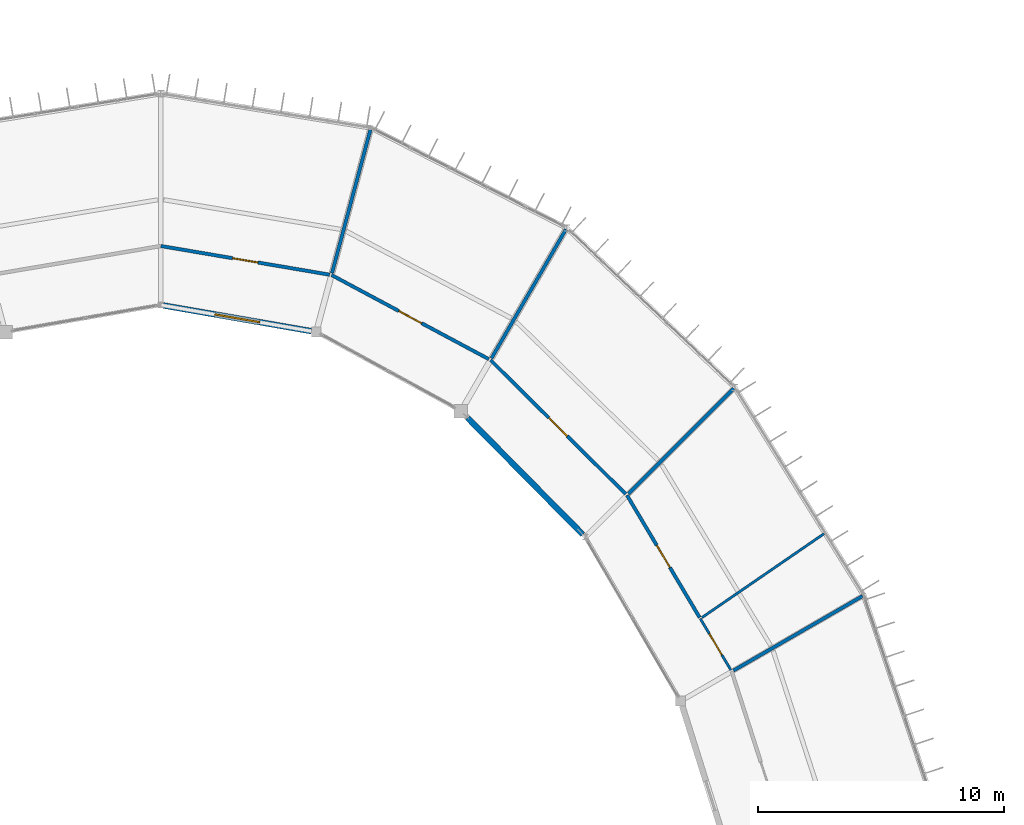
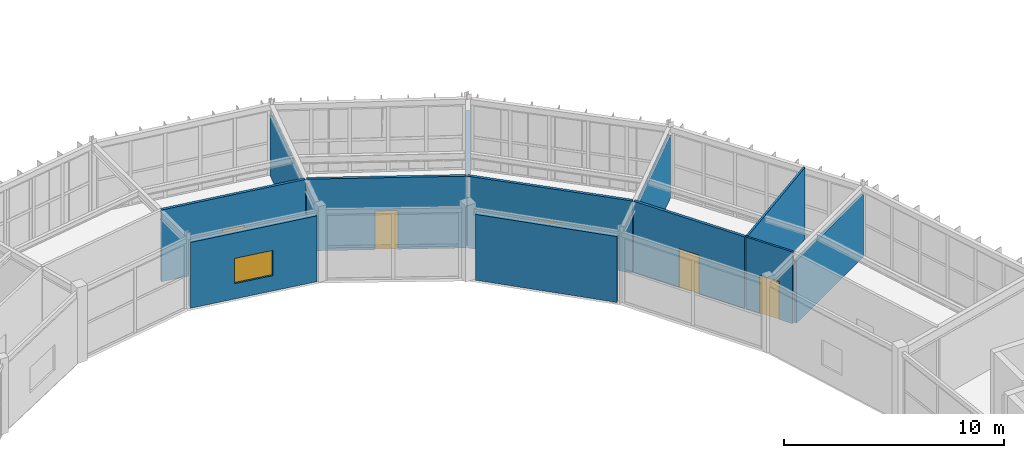
# One storey, part 143 of 157: 12 walls, 5 doors, 1 window, 6 openings.
"""IFC4 building model written with IfcOpenShell, lengths in metres."""

import ifcopenshell
import ifcopenshell.guid

model = None  # the IFC model being written
_history = None  # IfcOwnerHistory: only IFC2X3 demands one
_inside = {}  # id of a spatial element -> (the spatial element, [elements in it])
_under = {}  # id of a project, library or spatial element -> (it, [spatial elements below it])
_declared = {}  # id of a project -> (the project, [libraries it declares])
_typed = {}  # id of a type object -> (the type object, [elements of that type])
_made_of = {}  # id of a material, layer set ... -> (it, [elements and type objects made of it])


def new_model(schema):
    """Start an empty IFC model of exactly this schema.

    Asked for "IFC4X3", IfcOpenShell would pick the latest addendum, in which some entities
    have other attributes; the version numbers below select the first issue.
    IFC2X3 requires an IfcOwnerHistory on every rooted entity: one is made here for all.
    """
    global model, _history
    if schema == "IFC4X3":
        model = ifcopenshell.file(schema_version=(4, 3, 0, 0))
    else:
        model = ifcopenshell.file(schema=schema)
    _inside.clear()
    _under.clear()
    _declared.clear()
    _typed.clear()
    _made_of.clear()
    _history = None
    if model.schema == "IFC2X3":
        org = make("IfcOrganization", Name="unknown")
        user = make(
            "IfcPersonAndOrganization",
            ThePerson=make("IfcPerson", FamilyName="unknown"),
            TheOrganization=org,
        )
        app = make(
            "IfcApplication",
            ApplicationDeveloper=org,
            Version="unknown",
            ApplicationFullName="unknown",
            ApplicationIdentifier="unknown",
        )
        _history = make(
            "IfcOwnerHistory",
            OwningUser=user,
            OwningApplication=app,
            ChangeAction="ADDED",
            CreationDate=0,
        )
    return model


def make(cls, **values):
    """One entity of the class cls with the attributes given. An attribute that is None is left unset."""
    return model.create_entity(
        cls, **{name: value for name, value in values.items() if value is not None}
    )


def rooted(cls, **values):
    """An entity with a GlobalId (a new one), such as an element, a storey or a relation."""
    return make(cls, GlobalId=ifcopenshell.guid.new(), OwnerHistory=_history, **values)


def si_unit(unit_type, name, prefix=None):
    """IfcSIUnit, for example si_unit("LENGTHUNIT", "METRE", prefix="MILLI")."""
    return make("IfcSIUnit", UnitType=unit_type, Prefix=prefix, Name=name)


def assignment(units):
    """IfcUnitAssignment: the units of a project."""
    return None if units is None else make("IfcUnitAssignment", Units=units)


def point(xyz):
    """IfcCartesianPoint."""
    return None if xyz is None else make("IfcCartesianPoint", Coordinates=xyz)


def direction(xyz):
    """IfcDirection."""
    return None if xyz is None else make("IfcDirection", DirectionRatios=xyz)


def frame(location, z_axis=None, x_axis=None):
    """IfcAxis2Placement3D, a coordinate frame: its origin and axes. An axis left out is left unset."""
    return make(
        "IfcAxis2Placement3D",
        Location=point(location),
        Axis=direction(z_axis),
        RefDirection=direction(x_axis),
    )


def frame_2d(location, x_axis=None):
    """IfcAxis2Placement2D, a coordinate frame in the plane: its origin and x axis."""
    return make(
        "IfcAxis2Placement2D", Location=point(location), RefDirection=direction(x_axis)
    )


def origin():
    """The frame at (0, 0, 0) with its axes left unset."""
    return frame((0.0, 0.0, 0.0))


def place(relative_to, where):
    """IfcLocalPlacement: puts the frame where relative to a parent placement (None: the world)."""
    return make(
        "IfcLocalPlacement", PlacementRelTo=relative_to, RelativePlacement=where
    )


def context(
    kind, dimensions, precision=None, world=None, true_north=None, identifier=None
):
    """IfcGeometricRepresentationContext, for example the 3D "Model" context."""
    return make(
        "IfcGeometricRepresentationContext",
        ContextIdentifier=identifier,
        ContextType=kind,
        CoordinateSpaceDimension=dimensions,
        Precision=precision,
        WorldCoordinateSystem=world,
        TrueNorth=true_north,
    )


def subcontext(parent, identifier, kind, view, scale=None):
    """IfcGeometricRepresentationSubContext, for example "Body" below "Model"."""
    return make(
        "IfcGeometricRepresentationSubContext",
        ContextIdentifier=identifier,
        ContextType=kind,
        ParentContext=parent,
        TargetScale=scale,
        TargetView=view,
    )


def project(units=None, contexts=None):
    """IfcProject with its units and contexts."""
    return rooted(
        "IfcProject",
        Name="project",
        RepresentationContexts=contexts,
        UnitsInContext=assignment(units),
    )


def spatial(cls, under=None, at=None, **own):
    """A site, building, storey or space (cls), placed at a placement, below another one or the project."""
    s = rooted(cls, ObjectPlacement=at, **own)
    if under is not None:
        _under.setdefault(under.id(), (under, []))[1].append(s)
    return s


def profile(cls, at=None, kind="AREA", **sizes):
    """A parametric profile (cls). Its sizes go by their IFC names, for example OverallWidth=200.0."""
    return make(cls, ProfileType=kind, Position=at, **sizes)


def rectangle(**sizes):
    """IfcRectangleProfileDef."""
    return profile("IfcRectangleProfileDef", **sizes)


def extrude(swept, where, along, depth):
    """IfcExtrudedAreaSolid: the profile swept, set in the frame where, extruded along a direction by depth."""
    return make(
        "IfcExtrudedAreaSolid",
        SweptArea=swept,
        Position=where,
        ExtrudedDirection=direction(along),
        Depth=depth,
    )


def shape(context_of_items, identifier, shape_type, items):
    """IfcShapeRepresentation: the items that make up one representation, for example the "Body"."""
    return make(
        "IfcShapeRepresentation",
        ContextOfItems=context_of_items,
        RepresentationIdentifier=identifier,
        RepresentationType=shape_type,
        Items=items,
    )


def material(Name=None, Category=None):
    """IfcMaterial."""
    return make("IfcMaterial", Name=Name, Category=Category)


def layer(
    of_material, thickness, ventilated=None, Name=None, Category=None, Priority=None
):
    """IfcMaterialLayer: one layer of a wall or slab, of a material (None: an air gap)."""
    return make(
        "IfcMaterialLayer",
        Material=of_material,
        LayerThickness=thickness,
        IsVentilated=ventilated,
        Name=Name,
        Category=Category,
        Priority=Priority,
    )


def layer_set(layers, Name=None):
    """IfcMaterialLayerSet."""
    return make("IfcMaterialLayerSet", MaterialLayers=layers, LayerSetName=Name)


def made_of(thing, what):
    """Note that an element or type object is made of a material, layer set ...; save() writes the relation."""
    if what is not None:
        _made_of.setdefault(what.id(), (what, []))[1].append(thing)
    return thing


def type_object(cls, material=None, **own):
    """A type object (cls), such as IfcWallType, which elements share."""
    return made_of(rooted(cls, **own), material)


def element(
    cls,
    number,
    at=None,
    inside=None,
    cuts=None,
    type_object=None,
    material=None,
    context=None,
    identifier="Body",
    shape_type=None,
    held_by="IfcProductDefinitionShape",
    body=None,
    shapes=None,
    **own,
):
    """One element of the class cls, such as IfcWall. Its Tag is "e" and its number.

    at: its placement. inside: the storey or other place that contains it. cuts: it is an
    opening in that element (IfcRelVoidsElement). A single representation is given by context,
    identifier, shape_type and body (its items); several are given by shapes. held_by: the class
    of the entity that holds the representations. save() writes the other relations.
    """
    e = rooted(cls, Tag="e%d" % number, ObjectPlacement=at, **own)
    if body is not None:
        shapes = [shape(context, identifier, shape_type, body)]
    if shapes is not None:
        e.Representation = make(held_by, Representations=shapes)
    if inside is not None:
        _inside.setdefault(inside.id(), (inside, []))[1].append(e)
    if cuts is not None:
        rooted(
            "IfcRelVoidsElement", RelatingBuildingElement=cuts, RelatedOpeningElement=e
        )
    if type_object is not None:
        _typed.setdefault(type_object.id(), (type_object, []))[1].append(e)
    return made_of(e, material)


def fill(opening, filler):
    """IfcRelFillsElement: the door or window that sits in an opening."""
    return rooted(
        "IfcRelFillsElement",
        RelatingOpeningElement=opening,
        RelatedBuildingElement=filler,
    )


def aggregate(whole, parts):
    """IfcRelAggregates: a whole, such as a stair, and the parts it consists of."""
    return rooted("IfcRelAggregates", RelatingObject=whole, RelatedObjects=parts)


def save(model, path):
    """Write the relations noted so far, then the file.

    IfcRelAggregates (storeys below a building ...), IfcRelContainedInSpatialStructure (elements
    in a storey), IfcRelDefinesByType, IfcRelAssociatesMaterial and IfcRelDeclares: one each for
    every whole, place, type object, material and project.
    """
    for whole, parts in _under.values():
        aggregate(whole, parts)
    for where, things in _inside.values():
        rooted(
            "IfcRelContainedInSpatialStructure",
            RelatedElements=things,
            RelatingStructure=where,
        )
    for kind, things in _typed.values():
        rooted("IfcRelDefinesByType", RelatedObjects=things, RelatingType=kind)
    for what, things in _made_of.values():
        rooted("IfcRelAssociatesMaterial", RelatedObjects=things, RelatingMaterial=what)
    for by, libraries in _declared.values():
        rooted("IfcRelDeclares", RelatingContext=by, RelatedDefinitions=libraries)
    model.write(path)


model = new_model("IFC4")

# Units and contexts
model_context = context("Model", 3, precision=1e-05, world=origin(), true_north=direction((0.0, 1.0)))
body_context = subcontext(model_context, "Body", "Model", "MODEL_VIEW")
ifc_project = project(units=[si_unit("LENGTHUNIT", "METRE"), si_unit("AREAUNIT", "SQUARE_METRE"), si_unit("VOLUMEUNIT", "CUBIC_METRE"), si_unit("PLANEANGLEUNIT", "RADIAN"), si_unit("MASSUNIT", "GRAM", prefix="KILO")], contexts=[model_context])

# Site, building, storey
site_placement = place(None, origin())
site = spatial("IfcSite", under=ifc_project, at=site_placement, CompositionType="ELEMENT")
building_placement = place(site_placement, origin())
building = spatial("IfcBuilding", under=site, at=building_placement, Name="Karori Crest Natural Sciences Institute", CompositionType="ELEMENT")
storey_placement = place(building_placement, frame((0.0, 0.0, 13.300048828125)))
storey = spatial("IfcBuildingStorey", under=building, at=storey_placement, Name="L03", CompositionType="ELEMENT", Elevation=13.300048828125)

# Wall
ifc_material_1 = material(Name="Laboratory acoustic drywall partition")
ifc_layer_1 = layer(ifc_material_1, 0.139892578125, Name="Laboratory acoustic drywall partition")
ifc_layer_set_1 = layer_set([ifc_layer_1], Name="Laboratory acoustic drywall partition")
wall_type_1 = type_object("IfcWallType", Name="IWT-07", PredefinedType="PARTITIONING", material=ifc_layer_set_1)
wall_1_placement = place(storey_placement, frame((89.6787109375, 67.239990234375, 0.0), z_axis=(0.0, 0.0, 1.0), x_axis=(0.866020543329, 0.500008418462, 0.0)))
element("IfcWall", 1, at=wall_1_placement, inside=storey, type_object=wall_type_1, Name="Partition wall IW-1290", PredefinedType="PARTITIONING", context=body_context, shape_type="SweptSolid", body=[
    extrude(rectangle(XDim=6.06005859375, YDim=0.139892578125, at=frame_2d((3.030029296875, 0.0))), origin(), (0.0, 0.0, 1.0), 3.470947265625),
])

# Wall, opening, door
wall_2_placement = place(storey_placement, frame((88.30517578125, 69.39453125, 0.0), z_axis=(0.0, 0.0, 1.0), x_axis=(-0.510896676259, 0.859642126811, 0.0)))
wall_2 = element("IfcWall", 2, at=wall_2_placement, inside=storey, type_object=wall_type_1, Name="Partition wall IW-1293", PredefinedType="PARTITIONING", context=body_context, shape_type="SweptSolid", body=[
    extrude(rectangle(XDim=5.783203125, YDim=0.139892578125, at=frame_2d((2.8916015625, 0.0))), origin(), (0.0, 0.0, 1.0), 3.97998046875),
])
opening_1_placement = place(wall_2_placement, frame((2.366455078125, 0.0, 0.0)))
opening_1 = element("IfcOpeningElement", 3, at=opening_1_placement, cuts=wall_2, Name="Opening ID-0401", PredefinedType="OPENING", context=body_context, shape_type="SweptSolid", body=[
    extrude(rectangle(XDim=1.050048828125, YDim=2.14990234375, at=frame_2d((0.52490234375, 1.074951171875))), frame((0.0, 0.080078125, 0.0), z_axis=(0.0, -1.0, 0.0), x_axis=(1.0, 0.0, 0.0)), (0.0, 0.0, 1.0), 0.159912109375),
])
ifc_material_2 = material(Name="Stainless steel 316 and fire-rated timber", Category="steel")
door_type_1 = type_object("IfcDoorType", Name="IDT-03", OperationType="NOTDEFINED", PredefinedType="DOOR", material=ifc_material_2)
door_1_placement = place(opening_1_placement, origin())
door_1 = element("IfcDoor", 4, at=door_1_placement, inside=storey, type_object=door_type_1, Name="Janitor and Consumables Store door ID-0401", OperationType="SINGLE_SWING_RIGHT", OverallHeight=2.14990234375, OverallWidth=1.050048828125, PredefinedType="DOOR", context=body_context, shape_type="SweptSolid", body=[
    extrude(rectangle(XDim=1.050048828125, YDim=2.14990234375, at=frame_2d((0.52490234375, 1.074951171875))), frame((0.0, 0.02490234375, 0.0), z_axis=(0.0, -1.0, 0.0), x_axis=(1.0, 0.0, 0.0)), (0.0, 0.0, 1.0), 0.050048828125),
])
fill(opening_1, door_1)

# Wall
wall_3_placement = place(storey_placement, frame((85.406982421875, 74.422607421875, 0.0), z_axis=(0.0, 0.0, 1.0), x_axis=(0.70712692467, 0.707086637129, 0.0)))
element("IfcWall", 5, at=wall_3_placement, inside=storey, type_object=wall_type_1, Name="Partition wall IW-1294", PredefinedType="PARTITIONING", context=body_context, shape_type="SweptSolid", body=[
    extrude(rectangle(XDim=6.06005859375, YDim=0.139892578125, at=frame_2d((3.030029296875, 0.0))), origin(), (0.0, 0.0, 1.0), 3.46484375),
])

# Wall, opening, door
wall_4_placement = place(storey_placement, frame((85.29931640625, 74.41650390625, 0.0), z_axis=(0.0, 0.0, 1.0), x_axis=(-0.710410596589, 0.703787456732, 0.0)))
wall_4 = element("IfcWall", 6, at=wall_4_placement, inside=storey, type_object=wall_type_1, Name="Partition wall IW-1295", PredefinedType="PARTITIONING", context=body_context, shape_type="SweptSolid", body=[
    extrude(rectangle(XDim=7.740966796875, YDim=0.139892578125, at=frame_2d((3.87060546875, 0.0))), origin(), (0.0, 0.0, 1.0), 3.97998046875),
])
opening_2_placement = place(wall_4_placement, frame((3.345458984375, 0.0, 0.0)))
opening_2 = element("IfcOpeningElement", 7, at=opening_2_placement, cuts=wall_4, Name="Opening ID-0402", PredefinedType="OPENING", context=body_context, shape_type="SweptSolid", body=[
    extrude(rectangle(XDim=1.050048828125, YDim=2.14990234375, at=frame_2d((0.52490234375, 1.074951171875))), frame((0.0, 0.080078125, 0.0), z_axis=(0.0, -1.0, 0.0), x_axis=(1.0, 0.0, 0.0)), (0.0, 0.0, 1.0), 0.159912109375),
])
door_2_placement = place(opening_2_placement, origin())
door_2 = element("IfcDoor", 8, at=door_2_placement, inside=storey, type_object=door_type_1, Name="Molecular Ecology Wet Laboratory door ID-0402", OperationType="SINGLE_SWING_LEFT", OverallHeight=2.14990234375, OverallWidth=1.050048828125, PredefinedType="DOOR", context=body_context, shape_type="SweptSolid", body=[
    extrude(rectangle(XDim=1.050048828125, YDim=2.14990234375, at=frame_2d((0.52490234375, 1.074951171875))), frame((0.0, 0.02490234375, 0.0), z_axis=(0.0, -1.0, 0.0), x_axis=(1.0, 0.0, 0.0)), (0.0, 0.0, 1.0), 0.050048828125),
])
fill(opening_2, door_2)

# Wall
wall_5_placement = place(storey_placement, frame((79.840087890625, 79.933837890625, 0.0), z_axis=(0.0, 0.0, 1.0), x_axis=(0.500008418462, 0.866020543329, 0.0)))
element("IfcWall", 9, at=wall_5_placement, inside=storey, type_object=wall_type_1, Name="Partition wall IW-1296", PredefinedType="PARTITIONING", context=body_context, shape_type="SweptSolid", body=[
    extrude(rectangle(XDim=6.06005859375, YDim=0.139892578125, at=frame_2d((3.030029296875, 0.0))), origin(), (0.0, 0.0, 1.0), 3.31298828125),
])

# Wall, opening, door
wall_6_placement = place(storey_placement, frame((79.736572265625, 79.8984375, 0.0), z_axis=(0.0, 0.0, 1.0), x_axis=(-0.881826283139, 0.471574391125, 0.0)))
wall_6 = element("IfcWall", 10, at=wall_6_placement, inside=storey, type_object=wall_type_1, Name="Partition wall IW-1297", PredefinedType="PARTITIONING", context=body_context, shape_type="SweptSolid", body=[
    extrude(rectangle(XDim=7.2578125, YDim=0.139892578125, at=frame_2d((3.62890625, 0.0))), origin(), (0.0, 0.0, 1.0), 3.97998046875),
])
opening_3_placement = place(wall_6_placement, frame((3.10400390625, 0.0, 0.0)))
opening_3 = element("IfcOpeningElement", 11, at=opening_3_placement, cuts=wall_6, Name="Opening ID-0403", PredefinedType="OPENING", context=body_context, shape_type="SweptSolid", body=[
    extrude(rectangle(XDim=1.050048828125, YDim=2.14990234375, at=frame_2d((0.52490234375, 1.074951171875))), frame((0.0, 0.080078125, 0.0), z_axis=(0.0, -1.0, 0.0), x_axis=(1.0, 0.0, 0.0)), (0.0, 0.0, 1.0), 0.159912109375),
])
door_3_placement = place(opening_3_placement, origin())
door_3 = element("IfcDoor", 12, at=door_3_placement, inside=storey, type_object=door_type_1, Name="Wet Biology Laboratory door ID-0403", OperationType="SINGLE_SWING_RIGHT", OverallHeight=2.14990234375, OverallWidth=1.050048828125, PredefinedType="DOOR", context=body_context, shape_type="SweptSolid", body=[
    extrude(rectangle(XDim=1.050048828125, YDim=2.14990234375, at=frame_2d((0.52490234375, 1.074951171875))), frame((0.0, 0.02490234375, 0.0), z_axis=(0.0, -1.0, 0.0), x_axis=(1.0, 0.0, 0.0)), (0.0, 0.0, 1.0), 0.050048828125),
])
fill(opening_3, door_3)

# Wall
wall_7_placement = place(storey_placement, frame((73.357177734375, 83.398193359375, 0.0), z_axis=(0.0, 0.0, 1.0), x_axis=(0.258805895167, 0.965929349708, 0.0)))
element("IfcWall", 13, at=wall_7_placement, inside=storey, type_object=wall_type_1, Name="Partition wall IW-1298", PredefinedType="PARTITIONING", context=body_context, shape_type="SweptSolid", body=[
    extrude(rectangle(XDim=6.06005859375, YDim=0.139892578125, at=frame_2d((3.030029296875, 0.0))), origin(), (0.0, 0.0, 1.0), 3.322998046875),
])

# Wall, opening, door
wall_8_placement = place(storey_placement, frame((73.26513671875, 83.3330078125, 0.0), z_axis=(0.0, 0.0, 1.0), x_axis=(-0.985858163623, 0.167581864229, 0.0)))
wall_8 = element("IfcWall", 14, at=wall_8_placement, inside=storey, type_object=wall_type_1, Name="Partition wall IW-1299", PredefinedType="PARTITIONING", context=body_context, shape_type="SweptSolid", body=[
    extrude(rectangle(XDim=6.963623046875, YDim=0.139892578125, at=frame_2d((3.48193359375, 0.0))), origin(), (0.0, 0.0, 1.0), 3.97998046875),
])
opening_4_placement = place(wall_8_placement, frame((2.956787109375, 0.0, 0.0)))
opening_4 = element("IfcOpeningElement", 15, at=opening_4_placement, cuts=wall_8, Name="Opening ID-0404", PredefinedType="OPENING", context=body_context, shape_type="SweptSolid", body=[
    extrude(rectangle(XDim=1.050048828125, YDim=2.14990234375, at=frame_2d((0.52490234375, 1.074951171875))), frame((0.0, 0.080078125, 0.0), z_axis=(0.0, -1.0, 0.0), x_axis=(1.0, 0.0, 0.0)), (0.0, 0.0, 1.0), 0.159912109375),
])
door_4_placement = place(opening_4_placement, origin())
door_4 = element("IfcDoor", 16, at=door_4_placement, inside=storey, type_object=door_type_1, Name="Analytical Geochemistry Laboratory door ID-0404", OperationType="SINGLE_SWING_LEFT", OverallHeight=2.14990234375, OverallWidth=1.050048828125, PredefinedType="DOOR", context=body_context, shape_type="SweptSolid", body=[
    extrude(rectangle(XDim=1.050048828125, YDim=2.14990234375, at=frame_2d((0.52490234375, 1.074951171875))), frame((0.0, 0.02490234375, 0.0), z_axis=(0.0, -1.0, 0.0), x_axis=(1.0, 0.0, 0.0)), (0.0, 0.0, 1.0), 0.050048828125),
])
fill(opening_4, door_4)

ifc_material_3 = material(Name="Washroom moisture-resistant partition")
ifc_layer_2 = layer(ifc_material_3, 0.10009765625, Name="Washroom moisture-resistant partition")
ifc_layer_set_2 = layer_set([ifc_layer_2], Name="Washroom moisture-resistant partition")
wall_type_2 = type_object("IfcWallType", Name="IWT-09", PredefinedType="PARTITIONING", material=ifc_layer_set_2)
wall_9_placement = place(storey_placement, frame((89.57275390625, 67.261962890625, 0.0), z_axis=(0.0, 0.0, 1.0), x_axis=(-0.510928867953, 0.859622994046, 0.0)))
wall_9 = element("IfcWall", 17, at=wall_9_placement, inside=storey, type_object=wall_type_2, Name="Partition wall IW-1291", PredefinedType="PARTITIONING", context=body_context, shape_type="SweptSolid", body=[
    extrude(rectangle(XDim=2.428955078125, YDim=0.10009765625, at=frame_2d((1.21435546875, 0.0))), origin(), (0.0, 0.0, 1.0), 3.97998046875),
])
opening_5_placement = place(wall_9_placement, frame((0.71435546875, 0.0, 0.0)))
opening_5 = element("IfcOpeningElement", 18, at=opening_5_placement, cuts=wall_9, Name="Opening ID-0400", PredefinedType="OPENING", context=body_context, shape_type="SweptSolid", body=[
    extrude(rectangle(XDim=1.0, YDim=2.10009765625, at=frame_2d((0.5, 1.050048828125))), frame((0.0, 0.06005859375, 0.0), z_axis=(0.0, -1.0, 0.0), x_axis=(1.0, 0.0, 0.0)), (0.0, 0.0, 1.0), 0.1201171875),
])
ifc_material_4 = material(Name="Anodised aluminium and acoustic timber", Category="wood")
door_type_2 = type_object("IfcDoorType", Name="IDT-09", OperationType="NOTDEFINED", PredefinedType="DOOR", material=ifc_material_4)
door_5_placement = place(opening_5_placement, origin())
door_5 = element("IfcDoor", 19, at=door_5_placement, inside=storey, type_object=door_type_2, Name="Accessible WC door ID-0400", OperationType="SINGLE_SWING_LEFT", OverallHeight=2.10009765625, OverallWidth=1.0, PredefinedType="DOOR", context=body_context, shape_type="SweptSolid", body=[
    extrude(rectangle(XDim=1.0, YDim=2.10009765625, at=frame_2d((0.5, 1.050048828125))), frame((0.0, 0.02490234375, 0.0), z_axis=(0.0, -1.0, 0.0), x_axis=(1.0, 0.0, 0.0)), (0.0, 0.0, 1.0), 0.050048828125),
])
fill(opening_5, door_5)

# Walls
wall_10_placement = place(storey_placement, frame((88.397705078125, 69.39501953125, 0.0), z_axis=(0.0, 0.0, 1.0), x_axis=(0.824271584206, 0.566194626847, 0.0)))
element("IfcWall", 20, at=wall_10_placement, inside=storey, type_object=wall_type_2, Name="Partition wall IW-1292", PredefinedType="PARTITIONING", context=body_context, shape_type="SweptSolid", body=[
    extrude(rectangle(XDim=6.015625, YDim=0.10009765625, at=frame_2d((3.0078125, 0.0))), origin(), (0.0, 0.0, 1.0), 3.97998046875),
])
ifc_material_5 = material(Name="Precast concrete 40 MPa", Category="concrete")
ifc_layer_3 = layer(ifc_material_5, 0.239990234375, Name="Precast concrete 40 MPa")
ifc_layer_set_3 = layer_set([ifc_layer_3], Name="Precast concrete 40 MPa")
wall_type_3 = type_object("IfcWallType", Name="WT-04", PredefinedType="SOLIDWALL", material=ifc_layer_set_3)
wall_11_placement = place(storey_placement, frame((83.55224609375, 72.771240234375, 0.0), z_axis=(0.0, 0.0, 1.0), x_axis=(-0.702659584396, 0.711526182551, 0.0)))
element("IfcWall", 21, at=wall_11_placement, inside=storey, type_object=wall_type_3, Name="Exterior wall EW-0065", PredefinedType="SOLIDWALL", context=body_context, shape_type="SweptSolid", body=[
    extrude(rectangle(XDim=6.663330078125, YDim=0.239990234375, at=frame_2d((3.33154296875, 0.0))), origin(), (0.0, 0.0, 1.0), 3.64990234375),
])

# Wall, opening, window
wall_12_placement = place(storey_placement, frame((72.51708984375, 81.037109375, 0.0), z_axis=(0.0, 0.0, 1.0), x_axis=(-0.985238151149, 0.171189326539, 0.0)))
wall_12 = element("IfcWall", 22, at=wall_12_placement, inside=storey, type_object=wall_type_3, Name="Exterior wall EW-0066", PredefinedType="SOLIDWALL", context=body_context, shape_type="SweptSolid", body=[
    extrude(rectangle(XDim=6.106689453125, YDim=0.239990234375, at=frame_2d((3.05322265625, 0.0))), origin(), (0.0, 0.0, 1.0), 3.64990234375),
])
opening_6_placement = place(wall_12_placement, frame((2.12841796875, 0.0, 0.85009765625)))
opening_6 = element("IfcOpeningElement", 23, at=opening_6_placement, cuts=wall_12, Name="Opening WN-0023", PredefinedType="OPENING", context=body_context, shape_type="SweptSolid", body=[
    extrude(rectangle(XDim=1.85009765625, YDim=1.39990234375, at=frame_2d((0.925048828125, 0.699951171875))), frame((0.0, 0.1298828125, 0.0), z_axis=(0.0, -1.0, 0.0), x_axis=(1.0, 0.0, 0.0)), (0.0, 0.0, 1.0), 0.260009765625),
])
ifc_material_6 = material(Name="Double low-E laminated glass", Category="glass")
window_type = type_object("IfcWindowType", Name="WNT-06", PartitioningType="SINGLE_PANEL", PredefinedType="WINDOW", material=ifc_material_6)
window_placement = place(opening_6_placement, origin())
window = element("IfcWindow", 24, at=window_placement, inside=storey, type_object=window_type, Name="Window WN-0023", OverallHeight=1.39990234375, OverallWidth=1.85009765625, PartitioningType="SINGLE_PANEL", PredefinedType="WINDOW", context=body_context, shape_type="SweptSolid", body=[
    extrude(rectangle(XDim=1.85009765625, YDim=1.39990234375, at=frame_2d((0.925048828125, 0.699951171875))), frame((0.0, 0.030029296875, 0.0), z_axis=(0.0, -1.0, 0.0), x_axis=(1.0, 0.0, 0.0)), (0.0, 0.0, 1.0), 0.06005859375),
])
fill(opening_6, window)

save(model, "model.ifc")
